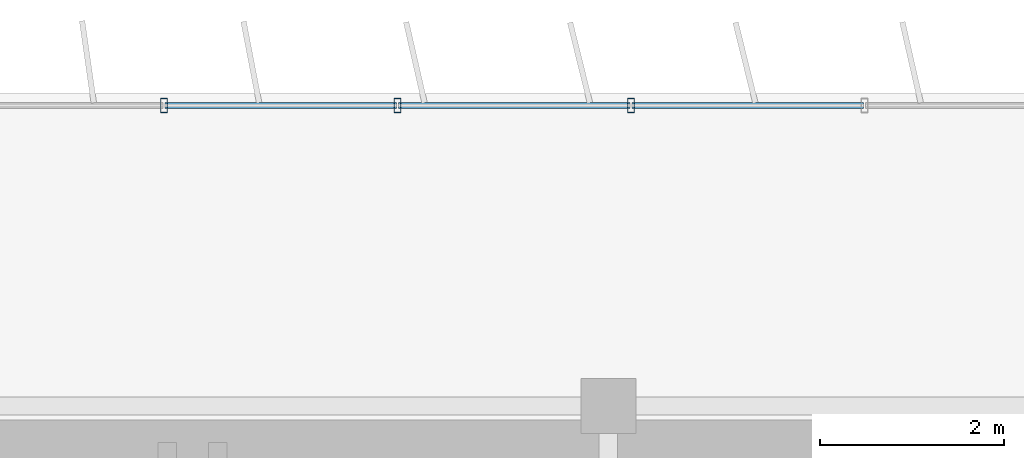
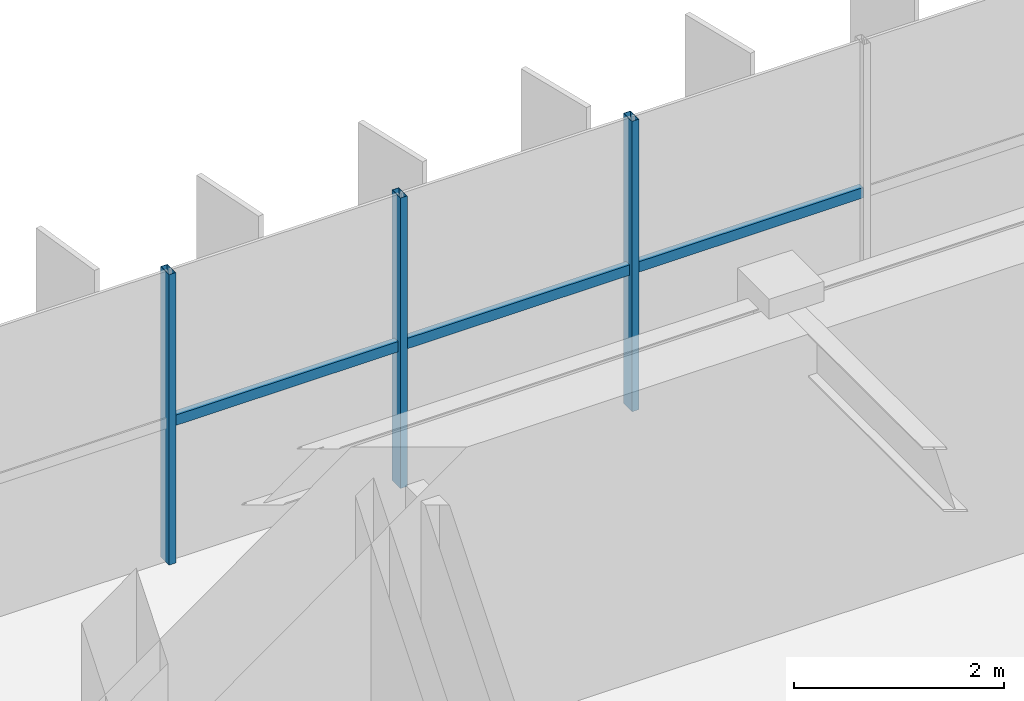
# One storey, part 8 of 22: 6 members, 1 element without a shape of its own.
"""IFC4 building model written with IfcOpenShell, lengths in metres."""

from ifc_helpers import new_model, si_unit, direction, frame, origin, origin_2d, place, context, subcontext, project, spatial, hollow_rectangle, extrude, source, transform, mapped, material, material_profile, profile_set, type_object, element, aggregate, save


model = new_model("IFC4")

# Units and contexts
model_context = context("Model", 3, precision=1e-05, world=origin(), true_north=direction((0.0, 1.0)))
body_context = subcontext(model_context, "Body", "Model", "MODEL_VIEW")
ifc_project = project(units=[si_unit("LENGTHUNIT", "METRE"), si_unit("AREAUNIT", "SQUARE_METRE"), si_unit("VOLUMEUNIT", "CUBIC_METRE"), si_unit("PLANEANGLEUNIT", "RADIAN"), si_unit("MASSUNIT", "GRAM", prefix="KILO")], contexts=[model_context])

# Site, building, storey
site_placement = place(None, origin())
site = spatial("IfcSite", under=ifc_project, at=site_placement, CompositionType="ELEMENT")
building_placement = place(site_placement, origin())
building = spatial("IfcBuilding", under=site, at=building_placement, Name="Trelvane Seafront Commons", CompositionType="ELEMENT")
storey_placement = place(building_placement, frame((0.0, 0.0, 281.10009765625)))
storey = spatial("IfcBuildingStorey", under=building, at=storey_placement, Name="L73", CompositionType="ELEMENT", Elevation=281.10009765625)

# Curtain wall, members
ifc_material = material(Name="Anodised pale-silver aluminium", Category="aluminium")
curtain_wall_type = type_object("IfcCurtainWallType", Name="ARCH-CW5-UPTOWER", PredefinedType="NOTDEFINED", material=ifc_material)
curtain_wall_placement = place(storey_placement, origin())
curtain_wall = element("IfcCurtainWall", 1, at=curtain_wall_placement, inside=storey, type_object=curtain_wall_type, Name="CW-L73-0117", PredefinedType="NOTDEFINED")
ifc_material_profile_1 = material_profile(ifc_material, hollow_rectangle(XDim=0.070068359375, YDim=0.1201171875, WallThickness=0.00390625, at=origin_2d()), Name="TRAN-70x120x4")
ifc_profile_set_1 = profile_set([ifc_material_profile_1], Name="Anodised pale-silver aluminium")
member_type_1 = type_object("IfcMemberType", Name="ARCH-CW-TRAN-120", PredefinedType="USERDEFINED", material=ifc_profile_set_1)
shared_shape_1 = source(origin(), body_context, "Body", "SweptSolid", [
    extrude(hollow_rectangle(XDim=0.070068359375, YDim=0.1201171875, WallThickness=0.00390625, at=origin_2d()), origin(), (0.0, 0.0, 1.0), 2.51708984375),
])
member_1_placement = place(storey_placement, frame((30.859130859375, 48.3701171875, 1.617919921875), z_axis=(1.0, 0.0, 0.0), x_axis=(0.0, 1.0, 0.0)))
member_1 = element("IfcMember", 2, at=member_1_placement, type_object=member_type_1, Name="CW-L73-0117-T06", ObjectType="TRANSOM", PredefinedType="USERDEFINED", context=body_context, shape_type="MappedRepresentation", body=[
    mapped(shared_shape_1, transform((0.0, 0.0, 0.0), x_axis=(1.0, 0.0, 0.0), y_axis=(0.0, 1.0, 0.0), z_axis=(0.0, 0.0, 1.0), scale=1.0)),
])
shared_shape_2 = source(origin(), body_context, "Body", "SweptSolid", [
    extrude(hollow_rectangle(XDim=0.070068359375, YDim=0.1201171875, WallThickness=0.00390625, at=origin_2d()), origin(), (0.0, 0.0, 1.0), 2.517333984375),
])
member_2_placement = place(storey_placement, frame((25.776611328125, 48.3701171875, 1.617919921875), z_axis=(1.0, 0.0, 0.0), x_axis=(0.0, 1.0, 0.0)))
member_2 = element("IfcMember", 3, at=member_2_placement, type_object=member_type_1, Name="CW-L73-0117-T04", ObjectType="TRANSOM", PredefinedType="USERDEFINED", context=body_context, shape_type="MappedRepresentation", body=[
    mapped(shared_shape_2, transform((0.0, 0.0, 0.0), x_axis=(1.0, 0.0, 0.0), y_axis=(0.0, 1.0, 0.0), z_axis=(0.0, 0.0, 1.0), scale=1.0)),
])
member_3_placement = place(storey_placement, frame((28.31787109375, 48.3701171875, 1.617919921875), z_axis=(1.0, 0.0, 0.0), x_axis=(0.0, 1.0, 0.0)))
member_3 = element("IfcMember", 4, at=member_3_placement, type_object=member_type_1, Name="CW-L73-0117-T05", ObjectType="TRANSOM", PredefinedType="USERDEFINED", context=body_context, shape_type="MappedRepresentation", body=[
    mapped(shared_shape_2, transform((0.0, 0.0, 0.0), x_axis=(1.0, 0.0, 0.0), y_axis=(0.0, 1.0, 0.0), z_axis=(0.0, 0.0, 1.0), scale=1.0)),
])
ifc_material_profile_2 = material_profile(ifc_material, hollow_rectangle(XDim=0.074951171875, YDim=0.159912109375, WallThickness=0.00390625, at=origin_2d()), Name="MULL-75x160x4")
ifc_profile_set_2 = profile_set([ifc_material_profile_2], Name="Anodised pale-silver aluminium")
member_type_2 = type_object("IfcMemberType", Name="ARCH-CW-MULL-160", PredefinedType="MULLION", material=ifc_profile_set_2)
shared_shape_3 = source(origin(), body_context, "Body", "SweptSolid", [
    extrude(hollow_rectangle(XDim=0.074951171875, YDim=0.159912109375, WallThickness=0.00390625, at=origin_2d()), origin(), (0.0, 0.0, 1.0), 3.369873046875),
])
member_4_placement = place(storey_placement, frame((25.7646484375, 48.3701171875, 0.0), z_axis=(0.0, 0.0, 1.0), x_axis=(1.0, 0.0, 0.0)))
member_4 = element("IfcMember", 5, at=member_4_placement, type_object=member_type_2, Name="CW-L73-0117-M04", PredefinedType="MULLION", context=body_context, shape_type="MappedRepresentation", body=[
    mapped(shared_shape_3, transform((0.0, 0.0, 0.0), x_axis=(1.0, 0.0, 0.0), y_axis=(0.0, 1.0, 0.0), z_axis=(0.0, 0.0, 1.0), scale=1.0)),
])
member_5_placement = place(storey_placement, frame((28.305908203125, 48.3701171875, 0.0), z_axis=(0.0, 0.0, 1.0), x_axis=(1.0, 0.0, 0.0)))
member_5 = element("IfcMember", 6, at=member_5_placement, type_object=member_type_2, Name="CW-L73-0117-M05", PredefinedType="MULLION", context=body_context, shape_type="MappedRepresentation", body=[
    mapped(shared_shape_3, transform((0.0, 0.0, 0.0), x_axis=(1.0, 0.0, 0.0), y_axis=(0.0, 1.0, 0.0), z_axis=(0.0, 0.0, 1.0), scale=1.0)),
])
member_6_placement = place(storey_placement, frame((30.84716796875, 48.3701171875, 0.0), z_axis=(0.0, 0.0, 1.0), x_axis=(1.0, 0.0, 0.0)))
member_6 = element("IfcMember", 7, at=member_6_placement, type_object=member_type_2, Name="CW-L73-0117-M06", PredefinedType="MULLION", context=body_context, shape_type="MappedRepresentation", body=[
    mapped(shared_shape_3, transform((0.0, 0.0, 0.0), x_axis=(1.0, 0.0, 0.0), y_axis=(0.0, 1.0, 0.0), z_axis=(0.0, 0.0, 1.0), scale=1.0)),
])
aggregate(curtain_wall, [member_4, member_5, member_6, member_2, member_3, member_1])

save(model, "model.ifc")
